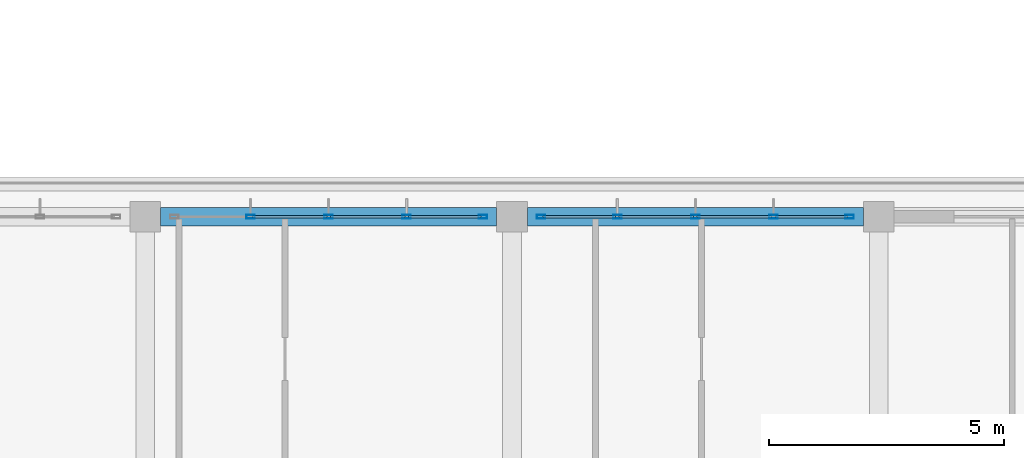
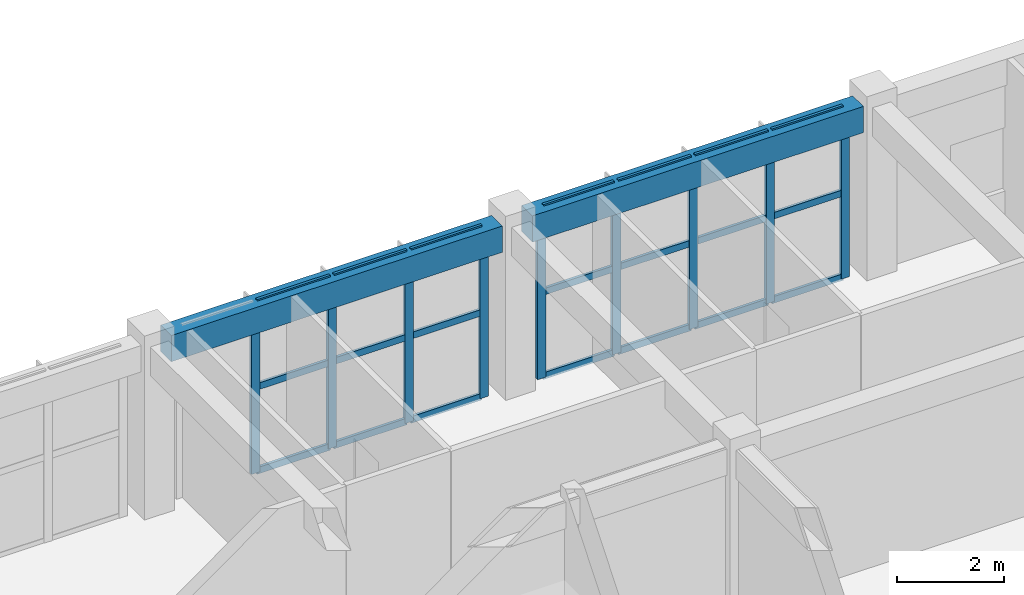
# One storey, part 17 of 57: 30 members, 2 beams, 2 elements without a shape of their own.
"""IFC4 building model written with IfcOpenShell, lengths in metres."""

from ifc_helpers import new_model, si_unit, direction, frame, origin, origin_2d, place, context, subcontext, project, spatial, rectangle, hollow_rectangle, extrude, material, layer, layer_set, material_profile, profile_set, type_object, element, aggregate, save


model = new_model("IFC4")

# Units and contexts
model_context = context("Model", 3, precision=1e-05, world=origin(), true_north=direction((0.0, 1.0)))
body_context = subcontext(model_context, "Body", "Model", "MODEL_VIEW")
ifc_project = project(units=[si_unit("LENGTHUNIT", "METRE"), si_unit("AREAUNIT", "SQUARE_METRE"), si_unit("VOLUMEUNIT", "CUBIC_METRE"), si_unit("PLANEANGLEUNIT", "RADIAN"), si_unit("MASSUNIT", "GRAM", prefix="KILO")], contexts=[model_context])

# Site, building, storey
site_placement = place(None, origin())
site = spatial("IfcSite", under=ifc_project, at=site_placement, CompositionType="ELEMENT")
building_placement = place(site_placement, origin())
building = spatial("IfcBuilding", under=site, at=building_placement, Name="Zizhar Promenade General Hospital", CompositionType="ELEMENT")
storey_placement = place(building_placement, frame((0.0, 0.0, 22.199951171875)))
storey = spatial("IfcBuildingStorey", under=building, at=storey_placement, Name="L05", CompositionType="ELEMENT", Elevation=22.199951171875)

# Beams
ifc_material_1 = material(Name="Concrete C35/45", Category="concrete")
ifc_material_profile_1 = material_profile(ifc_material_1, rectangle(XDim=0.39990234375, YDim=0.60009765625, at=origin_2d()))
ifc_profile_set_1 = profile_set([ifc_material_profile_1], Name="Concrete C35/45")
beam_type = type_object("IfcBeamType", Name="BM-RC-400x600", PredefinedType="JOIST", material=ifc_profile_set_1)
for number, where, z_axis, x_axis, name in (
    (1, (47.125, 25.199951171875, 3.610107421875), (1.0, 0.0, 0.0), (0.0, 1.0, 0.0), "Grid Beam X L05 (6-3)"),
    (2, (54.925048828125, 25.199951171875, 3.610107421875), (1.0, 0.0, 0.0), (0.0, 1.0, 0.0), "Grid Beam X L05 (7-3)"),
):
    element("IfcBeam", number, at=place(storey_placement, frame(where, z_axis=z_axis, x_axis=x_axis)), inside=storey, type_object=beam_type, Name=name, PredefinedType="JOIST", context=body_context, shape_type="SweptSolid", body=[
        extrude(rectangle(XDim=0.39990234375, YDim=0.60009765625, at=origin_2d()), origin(), (0.0, 0.0, 1.0), 7.14990234375),
    ])

# Curtain wall, members
ifc_material_2 = material(Name="Anodised aluminium 6063-T6 and low-E glass", Category="aluminium")
ifc_layer = layer(ifc_material_2, 0.159912109375)
ifc_layer_set = layer_set([ifc_layer], Name="Anodised aluminium 6063-T6 and low-E glass")
curtain_wall_type = type_object("IfcCurtainWallType", Name="CW-WARD-RIB", PredefinedType="NOTDEFINED", material=ifc_layer_set)
curtain_wall_1_placement = place(storey_placement, origin())
curtain_wall_1 = element("IfcCurtainWall", 3, at=curtain_wall_1_placement, inside=storey, type_object=curtain_wall_type, Name="Ward Ribbon Curtain Wall L05-8-2", PredefinedType="NOTDEFINED")
ifc_material_3 = material(Name="Anodised aluminium 6063-T6", Category="aluminium")
ifc_material_profile_2 = material_profile(ifc_material_3, hollow_rectangle(XDim=0.080078125, YDim=0.179931640625, WallThickness=0.0048828125, at=origin_2d()))
ifc_profile_set_2 = profile_set([ifc_material_profile_2], Name="Anodised aluminium 6063-T6")
member_type_1 = type_object("IfcMemberType", Name="CWM-ALU-180x80", PredefinedType="MULLION", material=ifc_profile_set_2)
member_1_placement = place(storey_placement, frame((49.0400390625, 25.199951171875, 0.0), z_axis=(0.0, 0.0, 1.0), x_axis=(0.0, 1.0, 0.0)))
member_1 = element("IfcMember", 4, at=member_1_placement, type_object=member_type_1, Name="CW-13 mullion 2", PredefinedType="MULLION", context=body_context, shape_type="SweptSolid", body=[
    extrude(hollow_rectangle(XDim=0.080078125, YDim=0.179931640625, WallThickness=0.0048828125, at=origin_2d()), origin(), (0.0, 0.0, 1.0), 3.900146484375),
])
member_2_placement = place(storey_placement, frame((50.699951171875, 25.199951171875, 0.0), z_axis=(0.0, 0.0, 1.0), x_axis=(0.0, 1.0, 0.0)))
member_2 = element("IfcMember", 5, at=member_2_placement, type_object=member_type_1, Name="CW-13 mullion 3", PredefinedType="MULLION", context=body_context, shape_type="SweptSolid", body=[
    extrude(hollow_rectangle(XDim=0.080078125, YDim=0.179931640625, WallThickness=0.0048828125, at=origin_2d()), origin(), (0.0, 0.0, 1.0), 3.900146484375),
])
member_3_placement = place(storey_placement, frame((52.360107421875, 25.199951171875, 0.0), z_axis=(0.0, 0.0, 1.0), x_axis=(0.0, 1.0, 0.0)))
member_3 = element("IfcMember", 6, at=member_3_placement, type_object=member_type_1, Name="CW-13 mullion 4", PredefinedType="MULLION", context=body_context, shape_type="SweptSolid", body=[
    extrude(hollow_rectangle(XDim=0.080078125, YDim=0.179931640625, WallThickness=0.0048828125, at=origin_2d()), origin(), (0.0, 0.0, 1.0), 3.900146484375),
])
member_4_placement = place(storey_placement, frame((53.97998046875, 25.199951171875, 0.0), z_axis=(0.0, 0.0, 1.0), x_axis=(0.0, 1.0, 0.0)))
member_4 = element("IfcMember", 7, at=member_4_placement, type_object=member_type_1, Name="CW-13 mullion 5", PredefinedType="MULLION", context=body_context, shape_type="SweptSolid", body=[
    extrude(hollow_rectangle(XDim=0.080078125, YDim=0.179931640625, WallThickness=0.0048828125, at=origin_2d()), origin(), (0.0, 0.0, 1.0), 3.900146484375),
])

curtain_wall_2_placement = place(storey_placement, origin())
curtain_wall_2 = element("IfcCurtainWall", 8, at=curtain_wall_2_placement, inside=storey, type_object=curtain_wall_type, Name="Ward Ribbon Curtain Wall L05-8-3", PredefinedType="NOTDEFINED")
member_5_placement = place(storey_placement, frame((55.219970703125, 25.199951171875, 0.0), z_axis=(0.0, 0.0, 1.0), x_axis=(0.0, 1.0, 0.0)))
member_5 = element("IfcMember", 9, at=member_5_placement, type_object=member_type_1, Name="CW-13 mullion 1", PredefinedType="MULLION", context=body_context, shape_type="SweptSolid", body=[
    extrude(hollow_rectangle(XDim=0.080078125, YDim=0.179931640625, WallThickness=0.0048828125, at=origin_2d()), origin(), (0.0, 0.0, 1.0), 3.900146484375),
])
member_6_placement = place(storey_placement, frame((56.840087890625, 25.199951171875, 0.0), z_axis=(0.0, 0.0, 1.0), x_axis=(0.0, 1.0, 0.0)))
member_6 = element("IfcMember", 10, at=member_6_placement, type_object=member_type_1, Name="CW-13 mullion 2", PredefinedType="MULLION", context=body_context, shape_type="SweptSolid", body=[
    extrude(hollow_rectangle(XDim=0.080078125, YDim=0.179931640625, WallThickness=0.0048828125, at=origin_2d()), origin(), (0.0, 0.0, 1.0), 3.900146484375),
])
member_7_placement = place(storey_placement, frame((58.5, 25.199951171875, 0.0), z_axis=(0.0, 0.0, 1.0), x_axis=(0.0, 1.0, 0.0)))
member_7 = element("IfcMember", 11, at=member_7_placement, type_object=member_type_1, Name="CW-13 mullion 3", PredefinedType="MULLION", context=body_context, shape_type="SweptSolid", body=[
    extrude(hollow_rectangle(XDim=0.080078125, YDim=0.179931640625, WallThickness=0.0048828125, at=origin_2d()), origin(), (0.0, 0.0, 1.0), 3.900146484375),
])
member_8_placement = place(storey_placement, frame((60.159912109375, 25.199951171875, 0.0), z_axis=(0.0, 0.0, 1.0), x_axis=(0.0, 1.0, 0.0)))
member_8 = element("IfcMember", 12, at=member_8_placement, type_object=member_type_1, Name="CW-13 mullion 4", PredefinedType="MULLION", context=body_context, shape_type="SweptSolid", body=[
    extrude(hollow_rectangle(XDim=0.080078125, YDim=0.179931640625, WallThickness=0.0048828125, at=origin_2d()), origin(), (0.0, 0.0, 1.0), 3.900146484375),
])
member_9_placement = place(storey_placement, frame((61.780029296875, 25.199951171875, 0.0), z_axis=(0.0, 0.0, 1.0), x_axis=(0.0, 1.0, 0.0)))
member_9 = element("IfcMember", 13, at=member_9_placement, type_object=member_type_1, Name="CW-13 mullion 5", PredefinedType="MULLION", context=body_context, shape_type="SweptSolid", body=[
    extrude(hollow_rectangle(XDim=0.080078125, YDim=0.179931640625, WallThickness=0.0048828125, at=origin_2d()), origin(), (0.0, 0.0, 1.0), 3.900146484375),
])

# Member
ifc_material_4 = material(Name="Anodised aluminium 6063-T6", Category="aluminium")
ifc_material_profile_3 = material_profile(ifc_material_4, hollow_rectangle(XDim=0.06005859375, YDim=0.14990234375, WallThickness=0.00390625, at=origin_2d()))
ifc_profile_set_3 = profile_set([ifc_material_profile_3], Name="Anodised aluminium 6063-T6")
member_type_2 = type_object("IfcMemberType", Name="CWT-ALU-150x60", PredefinedType="USERDEFINED", material=ifc_profile_set_3)
member_10_placement = place(storey_placement, frame((49.080078125, 25.199951171875, 0.030029296875), z_axis=(1.0, 0.0, 0.0), x_axis=(0.0, 1.0, 0.0)))
member_10 = element("IfcMember", 14, at=member_10_placement, type_object=member_type_2, Name="CW-13 transom 2.1", ObjectType="TRANSOM", PredefinedType="USERDEFINED", context=body_context, shape_type="SweptSolid", body=[
    extrude(hollow_rectangle(XDim=0.06005859375, YDim=0.14990234375, WallThickness=0.00390625, at=origin_2d()), origin(), (0.0, 0.0, 1.0), 1.579833984375),
])

member_11_placement = place(storey_placement, frame((49.080078125, 25.199951171875, 1.949951171875), z_axis=(1.0, 0.0, 0.0), x_axis=(0.0, 1.0, 0.0)))
member_11 = element("IfcMember", 15, at=member_11_placement, type_object=member_type_2, Name="CW-13 transom 2.2", ObjectType="TRANSOM", PredefinedType="USERDEFINED", context=body_context, shape_type="SweptSolid", body=[
    extrude(hollow_rectangle(XDim=0.06005859375, YDim=0.14990234375, WallThickness=0.00390625, at=origin_2d()), origin(), (0.0, 0.0, 1.0), 1.579833984375),
])

member_12_placement = place(storey_placement, frame((49.080078125, 25.199951171875, 3.8701171875), z_axis=(1.0, 0.0, 0.0), x_axis=(0.0, 1.0, 0.0)))
member_12 = element("IfcMember", 16, at=member_12_placement, type_object=member_type_2, Name="CW-13 transom 2.3", ObjectType="TRANSOM", PredefinedType="USERDEFINED", context=body_context, shape_type="SweptSolid", body=[
    extrude(hollow_rectangle(XDim=0.06005859375, YDim=0.14990234375, WallThickness=0.00390625, at=origin_2d()), origin(), (0.0, 0.0, 1.0), 1.579833984375),
])

member_13_placement = place(storey_placement, frame((50.739990234375, 25.199951171875, 0.030029296875), z_axis=(1.0, 0.0, 0.0), x_axis=(0.0, 1.0, 0.0)))
member_13 = element("IfcMember", 17, at=member_13_placement, type_object=member_type_2, Name="CW-13 transom 3.1", ObjectType="TRANSOM", PredefinedType="USERDEFINED", context=body_context, shape_type="SweptSolid", body=[
    extrude(hollow_rectangle(XDim=0.06005859375, YDim=0.14990234375, WallThickness=0.00390625, at=origin_2d()), origin(), (0.0, 0.0, 1.0), 1.580078125),
])

member_14_placement = place(storey_placement, frame((50.739990234375, 25.199951171875, 1.949951171875), z_axis=(1.0, 0.0, 0.0), x_axis=(0.0, 1.0, 0.0)))
member_14 = element("IfcMember", 18, at=member_14_placement, type_object=member_type_2, Name="CW-13 transom 3.2", ObjectType="TRANSOM", PredefinedType="USERDEFINED", context=body_context, shape_type="SweptSolid", body=[
    extrude(hollow_rectangle(XDim=0.06005859375, YDim=0.14990234375, WallThickness=0.00390625, at=origin_2d()), origin(), (0.0, 0.0, 1.0), 1.580078125),
])

member_15_placement = place(storey_placement, frame((50.739990234375, 25.199951171875, 3.8701171875), z_axis=(1.0, 0.0, 0.0), x_axis=(0.0, 1.0, 0.0)))
member_15 = element("IfcMember", 19, at=member_15_placement, type_object=member_type_2, Name="CW-13 transom 3.3", ObjectType="TRANSOM", PredefinedType="USERDEFINED", context=body_context, shape_type="SweptSolid", body=[
    extrude(hollow_rectangle(XDim=0.06005859375, YDim=0.14990234375, WallThickness=0.00390625, at=origin_2d()), origin(), (0.0, 0.0, 1.0), 1.580078125),
])

member_16_placement = place(storey_placement, frame((52.39990234375, 25.199951171875, 0.030029296875), z_axis=(1.0, 0.0, 0.0), x_axis=(0.0, 1.0, 0.0)))
member_16 = element("IfcMember", 20, at=member_16_placement, type_object=member_type_2, Name="CW-13 transom 4.1", ObjectType="TRANSOM", PredefinedType="USERDEFINED", context=body_context, shape_type="SweptSolid", body=[
    extrude(hollow_rectangle(XDim=0.06005859375, YDim=0.14990234375, WallThickness=0.00390625, at=origin_2d()), origin(), (0.0, 0.0, 1.0), 1.5400390625),
])

member_17_placement = place(storey_placement, frame((52.39990234375, 25.199951171875, 1.949951171875), z_axis=(1.0, 0.0, 0.0), x_axis=(0.0, 1.0, 0.0)))
member_17 = element("IfcMember", 21, at=member_17_placement, type_object=member_type_2, Name="CW-13 transom 4.2", ObjectType="TRANSOM", PredefinedType="USERDEFINED", context=body_context, shape_type="SweptSolid", body=[
    extrude(hollow_rectangle(XDim=0.06005859375, YDim=0.14990234375, WallThickness=0.00390625, at=origin_2d()), origin(), (0.0, 0.0, 1.0), 1.5400390625),
])

member_18_placement = place(storey_placement, frame((52.39990234375, 25.199951171875, 3.8701171875), z_axis=(1.0, 0.0, 0.0), x_axis=(0.0, 1.0, 0.0)))
member_18 = element("IfcMember", 22, at=member_18_placement, type_object=member_type_2, Name="CW-13 transom 4.3", ObjectType="TRANSOM", PredefinedType="USERDEFINED", context=body_context, shape_type="SweptSolid", body=[
    extrude(hollow_rectangle(XDim=0.06005859375, YDim=0.14990234375, WallThickness=0.00390625, at=origin_2d()), origin(), (0.0, 0.0, 1.0), 1.5400390625),
])

aggregate(curtain_wall_1, [member_1, member_2, member_3, member_4, member_10, member_11, member_12, member_13, member_14, member_15, member_16, member_17, member_18])

member_19_placement = place(storey_placement, frame((55.260009765625, 25.199951171875, 0.030029296875), z_axis=(1.0, 0.0, 0.0), x_axis=(0.0, 1.0, 0.0)))
member_19 = element("IfcMember", 23, at=member_19_placement, type_object=member_type_2, Name="CW-13 transom 1.1", ObjectType="TRANSOM", PredefinedType="USERDEFINED", context=body_context, shape_type="SweptSolid", body=[
    extrude(hollow_rectangle(XDim=0.06005859375, YDim=0.14990234375, WallThickness=0.00390625, at=origin_2d()), origin(), (0.0, 0.0, 1.0), 1.5400390625),
])

member_20_placement = place(storey_placement, frame((55.260009765625, 25.199951171875, 1.949951171875), z_axis=(1.0, 0.0, 0.0), x_axis=(0.0, 1.0, 0.0)))
member_20 = element("IfcMember", 24, at=member_20_placement, type_object=member_type_2, Name="CW-13 transom 1.2", ObjectType="TRANSOM", PredefinedType="USERDEFINED", context=body_context, shape_type="SweptSolid", body=[
    extrude(hollow_rectangle(XDim=0.06005859375, YDim=0.14990234375, WallThickness=0.00390625, at=origin_2d()), origin(), (0.0, 0.0, 1.0), 1.5400390625),
])

member_21_placement = place(storey_placement, frame((55.260009765625, 25.199951171875, 3.8701171875), z_axis=(1.0, 0.0, 0.0), x_axis=(0.0, 1.0, 0.0)))
member_21 = element("IfcMember", 25, at=member_21_placement, type_object=member_type_2, Name="CW-13 transom 1.3", ObjectType="TRANSOM", PredefinedType="USERDEFINED", context=body_context, shape_type="SweptSolid", body=[
    extrude(hollow_rectangle(XDim=0.06005859375, YDim=0.14990234375, WallThickness=0.00390625, at=origin_2d()), origin(), (0.0, 0.0, 1.0), 1.5400390625),
])

member_22_placement = place(storey_placement, frame((56.8798828125, 25.199951171875, 0.030029296875), z_axis=(1.0, 0.0, 0.0), x_axis=(0.0, 1.0, 0.0)))
member_22 = element("IfcMember", 26, at=member_22_placement, type_object=member_type_2, Name="CW-13 transom 2.1", ObjectType="TRANSOM", PredefinedType="USERDEFINED", context=body_context, shape_type="SweptSolid", body=[
    extrude(hollow_rectangle(XDim=0.06005859375, YDim=0.14990234375, WallThickness=0.00390625, at=origin_2d()), origin(), (0.0, 0.0, 1.0), 1.580078125),
])

member_23_placement = place(storey_placement, frame((56.8798828125, 25.199951171875, 1.949951171875), z_axis=(1.0, 0.0, 0.0), x_axis=(0.0, 1.0, 0.0)))
member_23 = element("IfcMember", 27, at=member_23_placement, type_object=member_type_2, Name="CW-13 transom 2.2", ObjectType="TRANSOM", PredefinedType="USERDEFINED", context=body_context, shape_type="SweptSolid", body=[
    extrude(hollow_rectangle(XDim=0.06005859375, YDim=0.14990234375, WallThickness=0.00390625, at=origin_2d()), origin(), (0.0, 0.0, 1.0), 1.580078125),
])

member_24_placement = place(storey_placement, frame((56.8798828125, 25.199951171875, 3.8701171875), z_axis=(1.0, 0.0, 0.0), x_axis=(0.0, 1.0, 0.0)))
member_24 = element("IfcMember", 28, at=member_24_placement, type_object=member_type_2, Name="CW-13 transom 2.3", ObjectType="TRANSOM", PredefinedType="USERDEFINED", context=body_context, shape_type="SweptSolid", body=[
    extrude(hollow_rectangle(XDim=0.06005859375, YDim=0.14990234375, WallThickness=0.00390625, at=origin_2d()), origin(), (0.0, 0.0, 1.0), 1.580078125),
])

member_25_placement = place(storey_placement, frame((58.5400390625, 25.199951171875, 0.030029296875), z_axis=(1.0, 0.0, 0.0), x_axis=(0.0, 1.0, 0.0)))
member_25 = element("IfcMember", 29, at=member_25_placement, type_object=member_type_2, Name="CW-13 transom 3.1", ObjectType="TRANSOM", PredefinedType="USERDEFINED", context=body_context, shape_type="SweptSolid", body=[
    extrude(hollow_rectangle(XDim=0.06005859375, YDim=0.14990234375, WallThickness=0.00390625, at=origin_2d()), origin(), (0.0, 0.0, 1.0), 1.580078125),
])

member_26_placement = place(storey_placement, frame((58.5400390625, 25.199951171875, 1.949951171875), z_axis=(1.0, 0.0, 0.0), x_axis=(0.0, 1.0, 0.0)))
member_26 = element("IfcMember", 30, at=member_26_placement, type_object=member_type_2, Name="CW-13 transom 3.2", ObjectType="TRANSOM", PredefinedType="USERDEFINED", context=body_context, shape_type="SweptSolid", body=[
    extrude(hollow_rectangle(XDim=0.06005859375, YDim=0.14990234375, WallThickness=0.00390625, at=origin_2d()), origin(), (0.0, 0.0, 1.0), 1.580078125),
])

member_27_placement = place(storey_placement, frame((58.5400390625, 25.199951171875, 3.8701171875), z_axis=(1.0, 0.0, 0.0), x_axis=(0.0, 1.0, 0.0)))
member_27 = element("IfcMember", 31, at=member_27_placement, type_object=member_type_2, Name="CW-13 transom 3.3", ObjectType="TRANSOM", PredefinedType="USERDEFINED", context=body_context, shape_type="SweptSolid", body=[
    extrude(hollow_rectangle(XDim=0.06005859375, YDim=0.14990234375, WallThickness=0.00390625, at=origin_2d()), origin(), (0.0, 0.0, 1.0), 1.580078125),
])

member_28_placement = place(storey_placement, frame((60.199951171875, 25.199951171875, 0.030029296875), z_axis=(1.0, 0.0, 0.0), x_axis=(0.0, 1.0, 0.0)))
member_28 = element("IfcMember", 32, at=member_28_placement, type_object=member_type_2, Name="CW-13 transom 4.1", ObjectType="TRANSOM", PredefinedType="USERDEFINED", context=body_context, shape_type="SweptSolid", body=[
    extrude(hollow_rectangle(XDim=0.06005859375, YDim=0.14990234375, WallThickness=0.00390625, at=origin_2d()), origin(), (0.0, 0.0, 1.0), 1.5400390625),
])

member_29_placement = place(storey_placement, frame((60.199951171875, 25.199951171875, 1.949951171875), z_axis=(1.0, 0.0, 0.0), x_axis=(0.0, 1.0, 0.0)))
member_29 = element("IfcMember", 33, at=member_29_placement, type_object=member_type_2, Name="CW-13 transom 4.2", ObjectType="TRANSOM", PredefinedType="USERDEFINED", context=body_context, shape_type="SweptSolid", body=[
    extrude(hollow_rectangle(XDim=0.06005859375, YDim=0.14990234375, WallThickness=0.00390625, at=origin_2d()), origin(), (0.0, 0.0, 1.0), 1.5400390625),
])

member_30_placement = place(storey_placement, frame((60.199951171875, 25.199951171875, 3.8701171875), z_axis=(1.0, 0.0, 0.0), x_axis=(0.0, 1.0, 0.0)))
member_30 = element("IfcMember", 34, at=member_30_placement, type_object=member_type_2, Name="CW-13 transom 4.3", ObjectType="TRANSOM", PredefinedType="USERDEFINED", context=body_context, shape_type="SweptSolid", body=[
    extrude(hollow_rectangle(XDim=0.06005859375, YDim=0.14990234375, WallThickness=0.00390625, at=origin_2d()), origin(), (0.0, 0.0, 1.0), 1.5400390625),
])

aggregate(curtain_wall_2, [member_5, member_6, member_7, member_8, member_9, member_19, member_20, member_21, member_22, member_23, member_24, member_25, member_26, member_27, member_28, member_29, member_30])

save(model, "model.ifc")
